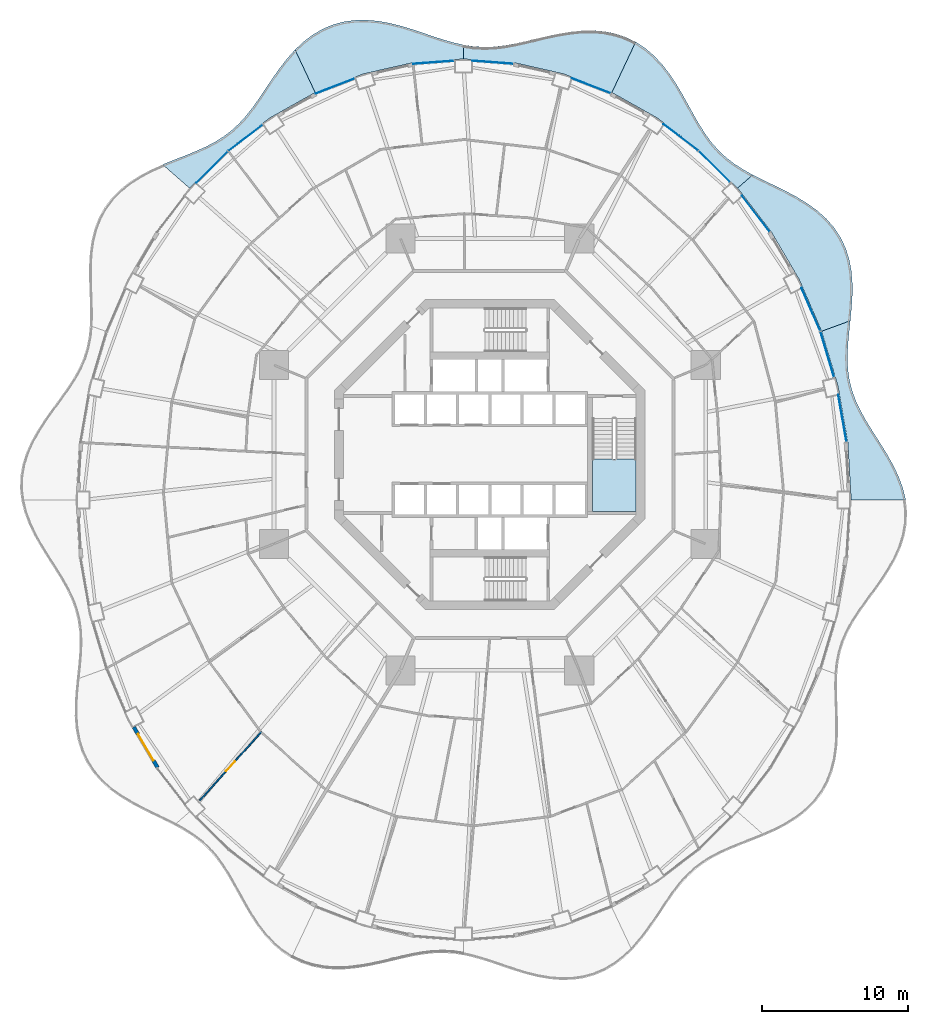
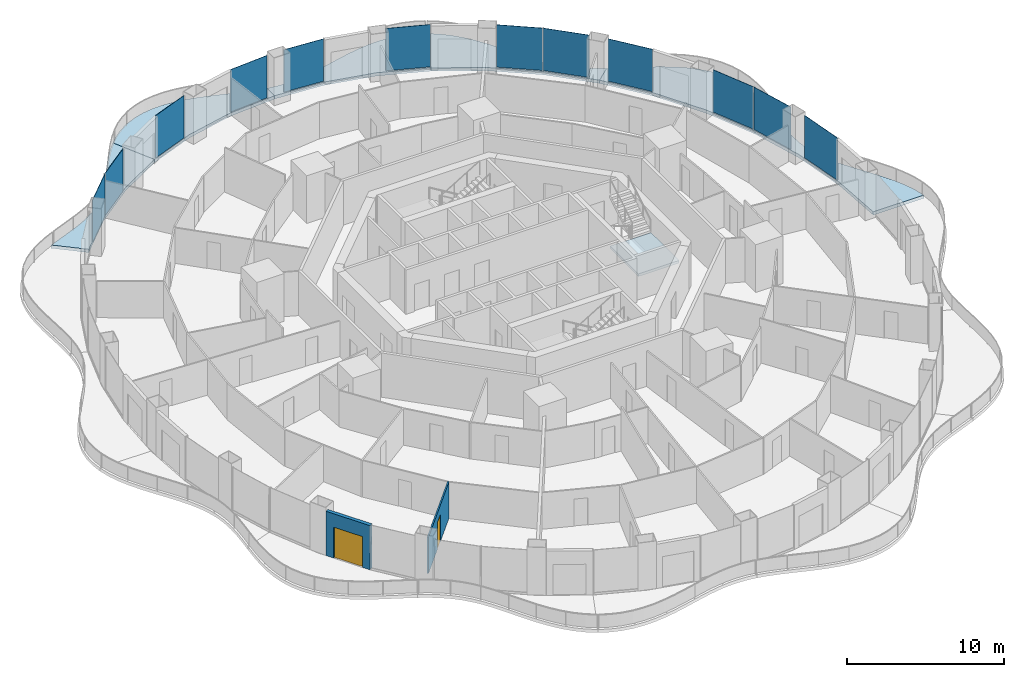
# One storey, part 10 of 19: 12 plates, 7 slabs, 2 doors, 2 walls, 2 openings, 13 elements without a shape of their own.
"""IFC4 building model written with IfcOpenShell, lengths in metres."""

from ifc_helpers import new_model, si_unit, direction, frame, frame_2d, origin, origin_2d, place, context, subcontext, project, spatial, polyline, rectangle, outline, extrude, material, layer, layer_set, type_object, element, fill, aggregate, save


model = new_model("IFC4")

# Units and contexts
model_context = context("Model", 3, precision=1e-05, world=origin(), true_north=direction((0.0, 1.0)))
body_context = subcontext(model_context, "Body", "Model", "MODEL_VIEW")
ifc_project = project(units=[si_unit("LENGTHUNIT", "METRE"), si_unit("AREAUNIT", "SQUARE_METRE"), si_unit("VOLUMEUNIT", "CUBIC_METRE"), si_unit("PLANEANGLEUNIT", "RADIAN"), si_unit("MASSUNIT", "GRAM", prefix="KILO")], contexts=[model_context])

# Site, building, storey
site_placement = place(None, origin())
site = spatial("IfcSite", under=ifc_project, at=site_placement, CompositionType="ELEMENT")
building_placement = place(site_placement, origin())
building = spatial("IfcBuilding", under=site, at=building_placement, Name="Nagisa Residences", CompositionType="ELEMENT")
storey_placement = place(building_placement, frame((0.0, 0.0, 149.199951171875)))
storey = spatial("IfcBuildingStorey", under=building, at=storey_placement, Name="L37", CompositionType="ELEMENT", Elevation=149.199951171875)

# Slabs
ifc_material_1 = material(Name="Concrete C40/50", Category="concrete")
ifc_layer_1 = layer(ifc_material_1, 0.25)
ifc_layer_set_1 = layer_set([ifc_layer_1], Name="BALCONY SLAB 250")
slab_type_1 = type_object("IfcSlabType", Name="BALCONY SLAB 250", PredefinedType="FLOOR", material=ifc_layer_set_1)
slab_1_placement = place(storey_placement, frame((0.0, 0.0, -0.25)))
element("IfcSlab", 1, at=slab_1_placement, inside=storey, type_object=slab_type_1, Name="slab:L37:bal00", PredefinedType="FLOOR", context=body_context, shape_type="SweptSolid", body=[
    extrude(outline(polyline([(28.475830078125, -3.11767578125), (28.2763671875, -2.3046875), (27.979248046875, -1.503662109375), (27.603271484375, -0.718994140625), (27.17138671875, 0.046875), (26.709228515625, 0.793701171875), (26.242919921875, 1.523681640625), (25.7978515625, 2.240966796875), (25.39697265625, 2.951416015625), (25.058349609375, 3.662109375), (24.794921875, 4.380615234375), (24.612548828125, 5.114013671875), (24.5107421875, 5.868896484375), (24.482177734375, 6.649658203125), (24.51318359375, 7.457763671875), (24.58544921875, 8.29296875), (24.67626953125, 9.1513671875), (22.715087890625, 8.4375), (23.830810546875, 4.697265625), (24.508056640625, 0.823486328125), (24.735107421875, -3.11767578125), (28.475830078125, -3.11767578125)])), origin(), (0.0, 0.0, 1.0), 0.25),
])
slab_2_placement = place(storey_placement, frame((0.0, 0.0, -0.25)))
element("IfcSlab", 2, at=slab_2_placement, inside=storey, type_object=slab_type_1, Name="slab:L37:bal01", PredefinedType="FLOOR", context=body_context, shape_type="SweptSolid", body=[
    extrude(outline(polyline([(24.67626953125, 9.1513671875), (24.7587890625, 9.998779296875), (24.812744140625, 10.85302734375), (24.81689453125, 11.703857421875), (24.751953125, 12.5400390625), (24.602783203125, 13.35009765625), (24.35888671875, 14.12255859375), (24.015625, 14.848388671875), (23.573486328125, 15.519775390625), (23.03857421875, 16.1328125), (22.422119140625, 16.68603515625), (21.7392578125, 17.1826171875), (21.00830078125, 17.628662109375), (20.2490234375, 18.0341796875), (19.481689453125, 18.411865234375), (18.7255859375, 18.77587890625), (17.997314453125, 19.142333984375), (16.963134765625, 18.2333984375), (19.251708984375, 15.263916015625), (21.179931640625, 11.979736328125), (22.715087890625, 8.4375), (24.67626953125, 9.1513671875)])), origin(), (0.0, 0.0, 1.0), 0.25),
])
slab_3_placement = place(storey_placement, frame((0.0, 0.0, -0.25)))
element("IfcSlab", 3, at=slab_3_placement, inside=storey, type_object=slab_type_1, Name="slab:L37:bal02", PredefinedType="FLOOR", context=body_context, shape_type="SweptSolid", body=[
    extrude(outline(polyline([(17.997314453125, 19.142333984375), (17.341064453125, 19.5078125), (16.730224609375, 19.901611328125), (16.168701171875, 20.33447265625), (15.65625, 20.81396484375), (15.18896484375, 21.344482421875), (14.75927734375, 21.92626953125), (14.357421875, 22.555908203125), (13.970458984375, 23.225830078125), (13.585205078125, 23.924560546875), (13.18798828125, 24.6376953125), (12.76611328125, 25.3486328125), (12.30810546875, 26.038818359375), (11.805419921875, 26.689697265625), (11.252197265625, 27.283935546875), (10.645751953125, 27.805419921875), (9.986572265625, 28.24169921875), (8.3544921875, 24.77880859375), (11.467529296875, 23.031982421875), (14.353515625, 20.837646484375), (16.963134765625, 18.2333984375), (17.997314453125, 19.142333984375)])), origin(), (0.0, 0.0, 1.0), 0.25),
])
slab_4_placement = place(storey_placement, frame((0.0, 0.0, -0.25)))
element("IfcSlab", 4, at=slab_4_placement, inside=storey, type_object=slab_type_1, Name="slab:L37:bal03", PredefinedType="FLOOR", context=body_context, shape_type="SweptSolid", body=[
    extrude(outline(polyline([(9.986572265625, 28.24169921875), (9.304931640625, 28.572998046875), (8.583740234375, 28.81298828125), (7.830078125, 28.961669921875), (7.052978515625, 29.02392578125), (6.26171875, 29.0078125), (5.465576171875, 28.92578125), (4.6728515625, 28.793212890625), (3.890380859375, 28.626953125), (3.123779296875, 28.4453125), (2.375732421875, 28.26708984375), (1.647705078125, 28.109130859375), (0.937744140625, 27.98681640625), (0.243408203125, 27.912109375), (-0.440673828125, 27.8935546875), (-1.11962890625, 27.935302734375), (-1.800048828125, 28.03662109375), (-1.800048828125, 27.077392578125), (1.66357421875, 26.819091796875), (5.06787109375, 26.04833984375), (8.3544921875, 24.77880859375), (9.986572265625, 28.24169921875)])), origin(), (0.0, 0.0, 1.0), 0.25),
])
slab_5_placement = place(storey_placement, frame((0.0, 0.0, -0.25)))
element("IfcSlab", 5, at=slab_5_placement, inside=storey, type_object=slab_type_1, Name="slab:L37:bal04", PredefinedType="FLOOR", context=body_context, shape_type="SweptSolid", body=[
    extrude(outline(polyline([(-1.800048828125, 28.03662109375), (-2.487548828125, 28.1923828125), (-3.1875, 28.393798828125), (-3.90380859375, 28.627685546875), (-4.638427734375, 28.878173828125), (-5.391357421875, 29.127197265625), (-6.160888671875, 29.356201171875), (-6.9423828125, 29.54638671875), (-7.730224609375, 29.6806640625), (-8.516845703125, 29.743896484375), (-9.294189453125, 29.723876953125), (-10.052978515625, 29.613037109375), (-10.78564453125, 29.406982421875), (-11.484619140625, 29.1064453125), (-12.144287109375, 28.71630859375), (-12.760986328125, 28.245361328125), (-13.334228515625, 27.705810546875), (-11.95458984375, 24.77880859375), (-8.667724609375, 26.04833984375), (-5.263427734375, 26.819091796875), (-1.800048828125, 27.077392578125), (-1.800048828125, 28.03662109375)])), origin(), (0.0, 0.0, 1.0), 0.25),
])
slab_6_placement = place(storey_placement, frame((0.0, 0.0, -0.25)))
element("IfcSlab", 6, at=slab_6_placement, inside=storey, type_object=slab_type_1, Name="slab:L37:bal05", PredefinedType="FLOOR", context=body_context, shape_type="SweptSolid", body=[
    extrude(outline(polyline([(-13.334228515625, 27.705810546875), (-13.88427734375, 27.08935546875), (-14.3935546875, 26.43359375), (-14.869873046875, 25.7578125), (-15.3232421875, 25.081298828125), (-15.765380859375, 24.4208984375), (-16.20849609375, 23.792236328125), (-16.665283203125, 23.206787109375), (-17.147216796875, 22.672119140625), (-17.6640625, 22.191650390625), (-18.222412109375, 21.764892578125), (-18.826416015625, 21.386474609375), (-19.475830078125, 21.04833984375), (-20.1669921875, 20.739013671875), (-20.89208984375, 20.4453125), (-21.640380859375, 20.15234375), (-22.398193359375, 19.845947265625), (-20.56298828125, 18.2333984375), (-17.953369140625, 20.837646484375), (-15.0673828125, 23.031982421875), (-11.95458984375, 24.77880859375), (-13.334228515625, 27.705810546875)])), origin(), (0.0, 0.0, 1.0), 0.25),
])

# Curtain wall, plate
ifc_material_2 = material(Name="Concrete-coloured aluminium curtain wall system", Category="concrete")
ifc_layer_2 = layer(ifc_material_2, 0.159912109375)
ifc_layer_set_2 = layer_set([ifc_layer_2], Name="CW1 CURTAIN WALL")
curtain_wall_type = type_object("IfcCurtainWallType", Name="CW1 CURTAIN WALL", PredefinedType="NOTDEFINED", material=ifc_layer_set_2)
curtain_wall_1_placement = place(storey_placement, origin())
curtain_wall_1 = element("IfcCurtainWall", 7, at=curtain_wall_1_placement, inside=storey, type_object=curtain_wall_type, Name="cw:CW1:L37:01", PredefinedType="NOTDEFINED")
ifc_material_3 = material(Name="Clear laminated glass", Category="glass")
ifc_layer_3 = layer(ifc_material_3, 0.028076171875)
ifc_layer_set_3 = layer_set([ifc_layer_3], Name="CW1 GLASS PANEL")
plate_type = type_object("IfcPlateType", Name="CW1 GLASS PANEL", PredefinedType="CURTAIN_PANEL", material=ifc_layer_set_3)
plate_1_placement = place(storey_placement, frame((24.13720703125, 2.480712890625, 0.150146484375), z_axis=(0.0, 0.0, 1.0), x_axis=(-0.172190868898, 0.985063604377, 0.0)))
plate_1 = element("IfcPlate", 8, at=plate_1_placement, type_object=plate_type, Name="CW1 panel", PredefinedType="CURTAIN_PANEL", context=body_context, shape_type="SweptSolid", body=[
    extrude(rectangle(XDim=3.2724609375, YDim=0.028076171875, at=origin_2d()), origin(), (0.0, 0.0, 1.0), 3.2900390625),
])
aggregate(curtain_wall_1, [plate_1])

curtain_wall_2_placement = place(storey_placement, origin())
curtain_wall_2 = element("IfcCurtainWall", 9, at=curtain_wall_2_placement, inside=storey, type_object=curtain_wall_type, Name="cw:CW1:L37:02", PredefinedType="NOTDEFINED")
plate_2_placement = place(storey_placement, frame((23.10205078125, 6.86083984375, 0.150146484375), z_axis=(0.0, 0.0, 1.0), x_axis=(-0.285860274038, 0.958271310082, 0.0)))
plate_2 = element("IfcPlate", 10, at=plate_2_placement, type_object=plate_type, Name="CW1 panel", PredefinedType="CURTAIN_PANEL", context=body_context, shape_type="SweptSolid", body=[
    extrude(rectangle(XDim=3.242919921875, YDim=0.028076171875, at=origin_2d()), origin(), (0.0, 0.0, 1.0), 3.2900390625),
])
aggregate(curtain_wall_2, [plate_2])

curtain_wall_3_placement = place(storey_placement, origin())
curtain_wall_3 = element("IfcCurtainWall", 11, at=curtain_wall_3_placement, inside=storey, type_object=curtain_wall_type, Name="cw:CW1:L37:03", PredefinedType="NOTDEFINED")
plate_3_placement = place(storey_placement, frame((21.9814453125, 9.928955078125, 0.150146484375), z_axis=(0.0, 0.0, 1.0), x_axis=(-0.397635934147, 0.917543276295, 0.0)))
plate_3 = element("IfcPlate", 12, at=plate_3_placement, type_object=plate_type, Name="CW1 panel", PredefinedType="CURTAIN_PANEL", context=body_context, shape_type="SweptSolid", body=[
    extrude(rectangle(XDim=3.20068359375, YDim=0.028076171875, at=origin_2d()), origin(), (0.0, 0.0, 1.0), 3.2900390625),
])
aggregate(curtain_wall_3, [plate_3])

curtain_wall_4_placement = place(storey_placement, origin())
curtain_wall_4 = element("IfcCurtainWall", 13, at=curtain_wall_4_placement, inside=storey, type_object=curtain_wall_type, Name="cw:CW1:L37:05", PredefinedType="NOTDEFINED")
plate_4_placement = place(storey_placement, frame((18.208740234375, 16.48583984375, 0.150146484375), z_axis=(0.0, 0.0, 1.0), x_axis=(-0.610429828235, 0.792070340816, 0.0)))
plate_4 = element("IfcPlate", 14, at=plate_4_placement, type_object=plate_type, Name="CW1 panel", PredefinedType="CURTAIN_PANEL", context=body_context, shape_type="SweptSolid", body=[
    extrude(rectangle(XDim=3.089111328125, YDim=0.028076171875, at=origin_2d()), origin(), (0.0, 0.0, 1.0), 3.2900390625),
])
aggregate(curtain_wall_4, [plate_4])

curtain_wall_5_placement = place(storey_placement, origin())
curtain_wall_5 = element("IfcCurtainWall", 15, at=curtain_wall_5_placement, inside=storey, type_object=curtain_wall_type, Name="cw:CW1:L37:06", PredefinedType="NOTDEFINED")
plate_5_placement = place(storey_placement, frame((15.3681640625, 19.7119140625, 0.150146484375), z_axis=(0.0, 0.0, 1.0), x_axis=(-0.707835924016, 0.706376885714, 0.0)))
plate_5 = element("IfcPlate", 16, at=plate_5_placement, type_object=plate_type, Name="CW1 panel", PredefinedType="CURTAIN_PANEL", context=body_context, shape_type="SweptSolid", body=[
    extrude(rectangle(XDim=3.026611328125, YDim=0.028076171875, at=origin_2d()), origin(), (0.0, 0.0, 1.0), 3.2900390625),
])
aggregate(curtain_wall_5, [plate_5])

curtain_wall_6_placement = place(storey_placement, origin())
curtain_wall_6 = element("IfcCurtainWall", 17, at=curtain_wall_6_placement, inside=storey, type_object=curtain_wall_type, Name="cw:CW1:L37:07", PredefinedType="NOTDEFINED")
plate_6_placement = place(storey_placement, frame((13.076904296875, 21.707763671875, 0.150146484375), z_axis=(0.0, 0.0, 1.0), x_axis=(-0.79603132756, 0.605255421737, 0.0)))
plate_6 = element("IfcPlate", 18, at=plate_6_placement, type_object=plate_type, Name="CW1 panel", PredefinedType="CURTAIN_PANEL", context=body_context, shape_type="SweptSolid", body=[
    extrude(rectangle(XDim=2.965576171875, YDim=0.028076171875, at=origin_2d()), origin(), (0.0, 0.0, 1.0), 3.2900390625),
])
aggregate(curtain_wall_6, [plate_6])

curtain_wall_7_placement = place(storey_placement, origin())
curtain_wall_7 = element("IfcCurtainWall", 19, at=curtain_wall_7_placement, inside=storey, type_object=curtain_wall_type, Name="cw:CW1:L37:09", PredefinedType="NOTDEFINED")
plate_7_placement = place(storey_placement, frame((6.93408203125, 25.24169921875, 0.150146484375), z_axis=(0.0, 0.0, 1.0), x_axis=(-0.932825759707, 0.360327770268, 0.0)))
plate_7 = element("IfcPlate", 20, at=plate_7_placement, type_object=plate_type, Name="CW1 panel", PredefinedType="CURTAIN_PANEL", context=body_context, shape_type="SweptSolid", body=[
    extrude(rectangle(XDim=2.863525390625, YDim=0.028076171875, at=origin_2d()), origin(), (0.0, 0.0, 1.0), 3.2900390625),
])
aggregate(curtain_wall_7, [plate_7])

curtain_wall_8_placement = place(storey_placement, origin())
curtain_wall_8 = element("IfcCurtainWall", 21, at=curtain_wall_8_placement, inside=storey, type_object=curtain_wall_type, Name="cw:CW1:L37:11", PredefinedType="NOTDEFINED")
plate_8_placement = place(storey_placement, frame((0.195068359375, 26.848388671875, 0.150146484375), z_axis=(0.0, 0.0, 1.0), x_axis=(-0.997230168512, 0.074377355493, 0.0)))
plate_8 = element("IfcPlate", 22, at=plate_8_placement, type_object=plate_type, Name="CW1 panel", PredefinedType="CURTAIN_PANEL", context=body_context, shape_type="SweptSolid", body=[
    extrude(rectangle(XDim=2.813232421875, YDim=0.028076171875, at=origin_2d()), origin(), (0.0, 0.0, 1.0), 3.2900390625),
])
aggregate(curtain_wall_8, [plate_8])

curtain_wall_9_placement = place(storey_placement, origin())
curtain_wall_9 = element("IfcCurtainWall", 23, at=curtain_wall_9_placement, inside=storey, type_object=curtain_wall_type, Name="cw:CW1:L37:12", PredefinedType="NOTDEFINED")
plate_9_placement = place(storey_placement, frame((-3.85498046875, 26.84375, 0.150146484375), z_axis=(0.0, 0.0, 1.0), x_axis=(-0.997230168512, -0.074377355493, 0.0)))
plate_9 = element("IfcPlate", 24, at=plate_9_placement, type_object=plate_type, Name="CW1 panel", PredefinedType="CURTAIN_PANEL", context=body_context, shape_type="SweptSolid", body=[
    extrude(rectangle(XDim=2.813232421875, YDim=0.028076171875, at=origin_2d()), origin(), (0.0, 0.0, 1.0), 3.2900390625),
])
aggregate(curtain_wall_9, [plate_9])

curtain_wall_10_placement = place(storey_placement, origin())
curtain_wall_10 = element("IfcCurtainWall", 25, at=curtain_wall_10_placement, inside=storey, type_object=curtain_wall_type, Name="cw:CW1:L37:14", PredefinedType="NOTDEFINED")
plate_10_placement = place(storey_placement, frame((-10.590087890625, 25.22021484375, 0.150146484375), z_axis=(0.0, 0.0, 1.0), x_axis=(-0.932825759707, -0.360327770268, 0.0)))
plate_10 = element("IfcPlate", 26, at=plate_10_placement, type_object=plate_type, Name="CW1 panel", PredefinedType="CURTAIN_PANEL", context=body_context, shape_type="SweptSolid", body=[
    extrude(rectangle(XDim=2.863525390625, YDim=0.028076171875, at=origin_2d()), origin(), (0.0, 0.0, 1.0), 3.2900390625),
])
aggregate(curtain_wall_10, [plate_10])

curtain_wall_11_placement = place(storey_placement, origin())
curtain_wall_11 = element("IfcCurtainWall", 27, at=curtain_wall_11_placement, inside=storey, type_object=curtain_wall_type, Name="cw:CW1:L37:16", PredefinedType="NOTDEFINED")
plate_11_placement = place(storey_placement, frame((-16.724853515625, 21.67138671875, 0.150146484375), z_axis=(0.0, 0.0, 1.0), x_axis=(-0.79603132756, -0.605255421737, 0.0)))
plate_11 = element("IfcPlate", 28, at=plate_11_placement, type_object=plate_type, Name="CW1 panel", PredefinedType="CURTAIN_PANEL", context=body_context, shape_type="SweptSolid", body=[
    extrude(rectangle(XDim=2.965576171875, YDim=0.028076171875, at=origin_2d()), origin(), (0.0, 0.0, 1.0), 3.2900390625),
])
aggregate(curtain_wall_11, [plate_11])

curtain_wall_12_placement = place(storey_placement, origin())
curtain_wall_12 = element("IfcCurtainWall", 29, at=curtain_wall_12_placement, inside=storey, type_object=curtain_wall_type, Name="cw:CW1:L37:17", PredefinedType="NOTDEFINED")
plate_12_placement = place(storey_placement, frame((-19.0107421875, 19.669677734375, 0.150146484375), z_axis=(0.0, 0.0, 1.0), x_axis=(-0.707835924016, -0.706376885714, 0.0)))
plate_12 = element("IfcPlate", 30, at=plate_12_placement, type_object=plate_type, Name="CW1 panel", PredefinedType="CURTAIN_PANEL", context=body_context, shape_type="SweptSolid", body=[
    extrude(rectangle(XDim=3.026611328125, YDim=0.028076171875, at=origin_2d()), origin(), (0.0, 0.0, 1.0), 3.2900390625),
])
aggregate(curtain_wall_12, [plate_12])

# Stair, slab
ifc_material_4 = material(Name="Concrete C60", Category="concrete")
stair_type = type_object("IfcStairType", Name="Exit stair", PredefinedType="HALF_TURN_STAIR", material=ifc_material_4)
stair_placement = place(storey_placement, origin())
stair = element("IfcStair", 31, at=stair_placement, inside=storey, type_object=stair_type, Name="L37 Exit stair E", PredefinedType="HALF_TURN_STAIR")
ifc_material_5 = material(Name="Concrete C60", Category="concrete")
ifc_layer_4 = layer(ifc_material_5, 0.199951171875)
ifc_layer_set_4 = layer_set([ifc_layer_4], Name="Stair landing")
slab_type_2 = type_object("IfcSlabType", Name="Stair landing", PredefinedType="LANDING", material=ifc_layer_set_4)
slab_7_placement = place(storey_placement, frame((0.0, 0.0, 1.650146484375)))
slab_7 = element("IfcSlab", 32, at=slab_7_placement, type_object=slab_type_2, Name="ST-E landing 1", PredefinedType="LANDING", context=body_context, shape_type="SweptSolid", body=[
    extrude(outline(polyline([(7.024658203125, -0.324951171875), (7.024658203125, -3.89990234375), (10.024658203125, -3.89990234375), (10.024658203125, -0.324951171875), (7.024658203125, -0.324951171875)])), origin(), (0.0, 0.0, 1.0), 0.199951171875),
])
aggregate(stair, [slab_7])

# Wall, opening, door
ifc_material_6 = material(Name="Gypsum board on steel studs", Category="steel")
ifc_layer_5 = layer(ifc_material_6, 0.10009765625)
ifc_layer_set_5 = layer_set([ifc_layer_5], Name="Apartment partition 100")
wall_type_1 = type_object("IfcWallType", Name="Apartment partition 100", PredefinedType="PARTITIONING", material=ifc_layer_set_5)
wall_1_placement = place(storey_placement, frame((-15.625732421875, -18.975830078125, 0.0), z_axis=(0.0, 0.0, 1.0), x_axis=(-0.668485690917, -0.74372500364, 0.0)))
wall_1 = element("IfcWall", 33, at=wall_1_placement, inside=storey, type_object=wall_type_1, Name="wall:L37:u69", PredefinedType="PARTITIONING", context=body_context, shape_type="SweptSolid", body=[
    extrude(rectangle(XDim=6.337158203125, YDim=0.10009765625, at=frame_2d((3.16845703125, 0.0))), origin(), (0.0, 0.0, 1.0), 2.828125),
])
opening_1_placement = place(wall_1_placement, frame((2.74365234375, 0.0, 0.0)))
opening_1 = element("IfcOpeningElement", 34, at=opening_1_placement, cuts=wall_1, Name="Opening L37-U36", PredefinedType="OPENING", context=body_context, shape_type="SweptSolid", body=[
    extrude(rectangle(XDim=0.89990234375, YDim=2.10009765625, at=frame_2d((0.449951171875, 1.050048828125))), frame((0.0, 0.06005859375, 0.0), z_axis=(0.0, -1.0, 0.0), x_axis=(1.0, 0.0, 0.0)), (0.0, 0.0, 1.0), 0.1201171875),
])
ifc_material_7 = material(Name="Timber door set", Category="wood")
door_type_1 = type_object("IfcDoorType", Name="Apartment door 900x2100", OperationType="NOTDEFINED", PredefinedType="DOOR", material=ifc_material_7)
door_1_placement = place(opening_1_placement, origin())
door_1 = element("IfcDoor", 35, at=door_1_placement, inside=storey, type_object=door_type_1, Name="Door to master bedroom, Apartment 37B", OperationType="SINGLE_SWING_RIGHT", OverallHeight=2.10009765625, OverallWidth=0.89990234375, PredefinedType="DOOR", context=body_context, shape_type="SweptSolid", body=[
    extrude(rectangle(XDim=0.89990234375, YDim=2.10009765625, at=frame_2d((0.449951171875, 1.050048828125))), frame((0.0, 0.02490234375, 0.0), z_axis=(0.0, -1.0, 0.0), x_axis=(1.0, 0.0, 0.0)), (0.0, 0.0, 1.0), 0.050048828125),
])
fill(opening_1, door_1)

ifc_material_8 = material(Name="Precast concrete C40/50", Category="concrete")
ifc_layer_6 = layer(ifc_material_8, 0.25)
ifc_layer_set_6 = layer_set([ifc_layer_6], Name="BALCONY DOOR WALL 250")
wall_type_2 = type_object("IfcWallType", Name="BALCONY DOOR WALL 250", PredefinedType="SOLIDWALL", material=ifc_layer_set_6)
wall_2_placement = place(storey_placement, frame((-22.743896484375, -21.43603515625, 0.0), z_axis=(0.0, 0.0, 1.0), x_axis=(-0.506314982873, 0.862348617508, 0.0)))
wall_2 = element("IfcWall", 36, at=wall_2_placement, inside=storey, type_object=wall_type_2, Name="wall:L37:bay28", PredefinedType="SOLIDWALL", context=body_context, shape_type="SweptSolid", body=[
    extrude(rectangle(XDim=3.20849609375, YDim=0.25, at=frame_2d((1.604248046875, 0.0))), origin(), (0.0, 0.0, 1.0), 3.43994140625),
])
opening_2_placement = place(wall_2_placement, frame((0.55419921875, 0.0, 0.0)))
opening_2 = element("IfcOpeningElement", 37, at=opening_2_placement, cuts=wall_2, Name="Opening BD-L37-10", PredefinedType="OPENING", context=body_context, shape_type="SweptSolid", body=[
    extrude(rectangle(XDim=2.10009765625, YDim=2.39990234375, at=frame_2d((1.050048828125, 1.199951171875))), frame((0.0, 0.135009765625, 0.0), z_axis=(0.0, -1.0, 0.0), x_axis=(1.0, 0.0, 0.0)), (0.0, 0.0, 1.0), 0.27001953125),
])
ifc_material_9 = material(Name="Aluminium and clear glass", Category="aluminium")
door_type_2 = type_object("IfcDoorType", Name="BALCONY SLIDING DOOR 2100x2400", OperationType="SLIDING_TO_LEFT", PredefinedType="DOOR", material=ifc_material_9)
door_2_placement = place(opening_2_placement, origin())
door_2 = element("IfcDoor", 38, at=door_2_placement, inside=storey, type_object=door_type_2, Name="door:L37:bay28", OperationType="SLIDING_TO_LEFT", OverallHeight=2.39990234375, OverallWidth=2.10009765625, PredefinedType="DOOR", context=body_context, shape_type="SweptSolid", body=[
    extrude(rectangle(XDim=2.10009765625, YDim=2.39990234375, at=frame_2d((1.050048828125, 1.199951171875))), frame((0.0, 0.02490234375, 0.0), z_axis=(0.0, -1.0, 0.0), x_axis=(1.0, 0.0, 0.0)), (0.0, 0.0, 1.0), 0.050048828125),
])
fill(opening_2, door_2)

save(model, "model.ifc")
